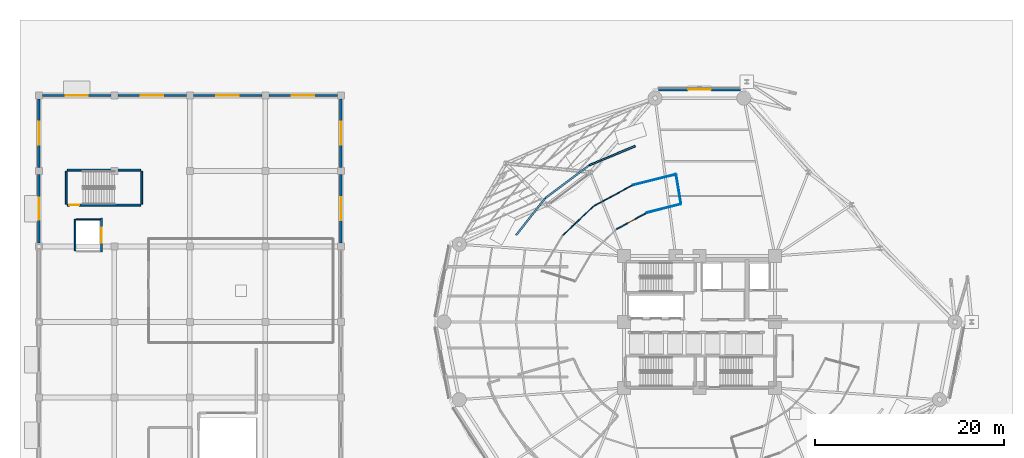
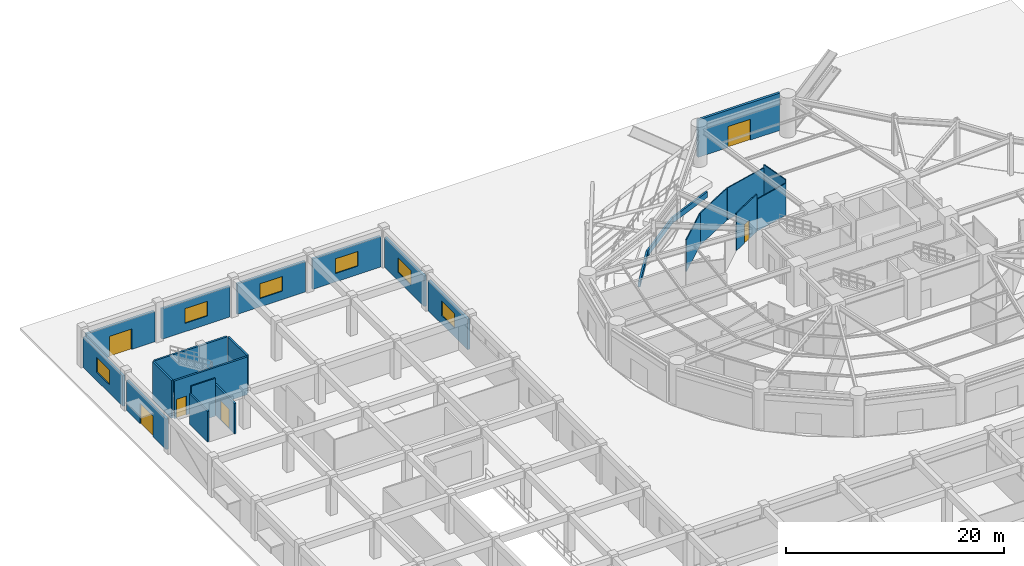
# One storey, part 31 of 40: 25 walls, 6 doors, 6 windows, 12 openings.
"""IFC4 building model written with IfcOpenShell, lengths in metres."""

from ifc_helpers import new_model, si_unit, direction, frame, frame_2d, origin, place, context, subcontext, project, spatial, rectangle, extrude, material, layer, layer_set, type_object, element, fill, save


model = new_model("IFC4")

# Units and contexts
model_context = context("Model", 3, precision=1e-05, world=origin(), true_north=direction((0.0, 1.0)))
body_context = subcontext(model_context, "Body", "Model", "MODEL_VIEW")
ifc_project = project(units=[si_unit("LENGTHUNIT", "METRE"), si_unit("AREAUNIT", "SQUARE_METRE"), si_unit("VOLUMEUNIT", "CUBIC_METRE"), si_unit("PLANEANGLEUNIT", "RADIAN"), si_unit("MASSUNIT", "GRAM", prefix="KILO")], contexts=[model_context])

# Site, building, storey
site_placement = place(None, origin())
site = spatial("IfcSite", under=ifc_project, at=site_placement, CompositionType="ELEMENT")
building_placement = place(site_placement, origin())
building = spatial("IfcBuilding", under=site, at=building_placement, Name="Kelanora Arch Commons", CompositionType="ELEMENT")
storey_placement = place(building_placement, origin())
storey = spatial("IfcBuildingStorey", under=building, at=storey_placement, Name="L00", CompositionType="ELEMENT", Elevation=0.0)

# Walls
ifc_material_1 = material(Name="Autoclaved aerated concrete blockwork with fire plaster", Category="masonry")
ifc_layer_1 = layer(ifc_material_1, 0.14990234375)
ifc_layer_set_1 = layer_set([ifc_layer_1], Name="Autoclaved aerated concrete blockwork with fire plaster")
wall_type_1 = type_object("IfcWallType", Name="W-COMP-150", PredefinedType="PARTITIONING", material=ifc_layer_set_1)
wall_1_placement = place(storey_placement, frame((7.840087890625, 65.5400390625, 0.0), z_axis=(0.0, 0.0, 1.0), x_axis=(0.0, 1.0, 0.0)))
element("IfcWall", 1, at=wall_1_placement, inside=storey, type_object=wall_type_1, Name="Market West Lift Shaft Back Wall L00", PredefinedType="PARTITIONING", context=body_context, shape_type="SweptSolid", body=[
    extrude(rectangle(XDim=3.320068359375, YDim=0.14990234375, at=frame_2d((1.66015625, 0.0))), origin(), (0.0, 0.0, 1.0), 3.425048828125),
])
wall_2_placement = place(storey_placement, frame((7.9599609375, 68.860107421875, 0.0), z_axis=(0.0, 0.0, 1.0), x_axis=(1.0, 0.0, 0.0)))
element("IfcWall", 2, at=wall_2_placement, inside=storey, type_object=wall_type_1, Name="Market West Lift Shaft North Wall L00", PredefinedType="PARTITIONING", context=body_context, shape_type="SweptSolid", body=[
    extrude(rectangle(XDim=2.56005859375, YDim=0.14990234375, at=frame_2d((1.280029296875, 0.0))), origin(), (0.0, 0.0, 1.0), 4.22998046875),
])

# Wall, opening, window
ifc_material_2 = material(Name="Precast concrete C40/50 with terracotta ceramic cladding", Category="masonry")
ifc_layer_2 = layer(ifc_material_2, 0.25)
ifc_layer_set_2 = layer_set([ifc_layer_2], Name="Precast concrete C40/50 with terracotta ceramic cladding")
wall_type_2 = type_object("IfcWallType", Name="W-EXT-MKT", PredefinedType="SOLIDWALL", material=ifc_layer_set_2)
wall_3_placement = place(storey_placement, frame((36.0, 66.3798828125, 0.0), z_axis=(0.0, 0.0, 1.0), x_axis=(0.0, 1.0, 0.0)))
wall_3 = element("IfcWall", 3, at=wall_3_placement, inside=storey, type_object=wall_type_2, Name="Market Hall Exterior Wall L00-28", PredefinedType="SOLIDWALL", context=body_context, shape_type="SweptSolid", body=[
    extrude(rectangle(XDim=7.240234375, YDim=0.25, at=frame_2d((3.6201171875, 0.0))), origin(), (0.0, 0.0, 1.0), 3.419921875),
])
opening_1_placement = place(wall_3_placement, frame((2.419921875, 0.0, 0.949951171875)))
opening_1 = element("IfcOpeningElement", 4, at=opening_1_placement, cuts=wall_3, Name="Opening WN-03", PredefinedType="OPENING", context=body_context, shape_type="SweptSolid", body=[
    extrude(rectangle(XDim=2.39990234375, YDim=1.64990234375, at=frame_2d((1.199951171875, 0.824951171875))), frame((0.0, 0.135009765625, 0.0), z_axis=(0.0, -1.0, 0.0), x_axis=(1.0, 0.0, 0.0)), (0.0, 0.0, 1.0), 0.27001953125),
])
ifc_material_3 = material(Name="Bronze-terracotta aluminium monsoon clerestory window", Category="masonry")
window_type = type_object("IfcWindowType", Name="WIN-MKT-24", PartitioningType="TRIPLE_PANEL_VERTICAL", PredefinedType="WINDOW", material=ifc_material_3)
window_1_placement = place(opening_1_placement, origin())
window_1 = element("IfcWindow", 5, at=window_1_placement, inside=storey, type_object=window_type, Name="Market Hall Clerestory Window L00-28", OverallHeight=1.64990234375, OverallWidth=2.39990234375, PartitioningType="SINGLE_PANEL", PredefinedType="WINDOW", context=body_context, shape_type="SweptSolid", body=[
    extrude(rectangle(XDim=2.39990234375, YDim=1.64990234375, at=frame_2d((1.199951171875, 0.824951171875))), frame((0.0, 0.030029296875, 0.0), z_axis=(0.0, -1.0, 0.0), x_axis=(1.0, 0.0, 0.0)), (0.0, 0.0, 1.0), 0.06005859375),
])
fill(opening_1, window_1)

wall_4_placement = place(storey_placement, frame((36.0, 74.3798828125, 0.0), z_axis=(0.0, 0.0, 1.0), x_axis=(0.0, 1.0, 0.0)))
wall_4 = element("IfcWall", 6, at=wall_4_placement, inside=storey, type_object=wall_type_2, Name="Market Hall Exterior Wall L00-29", PredefinedType="SOLIDWALL", context=body_context, shape_type="SweptSolid", body=[
    extrude(rectangle(XDim=7.240234375, YDim=0.25, at=frame_2d((3.6201171875, 0.0))), origin(), (0.0, 0.0, 1.0), 3.419921875),
])
opening_2_placement = place(wall_4_placement, frame((2.419921875, 0.0, 0.949951171875)))
opening_2 = element("IfcOpeningElement", 7, at=opening_2_placement, cuts=wall_4, Name="Opening WN-03", PredefinedType="OPENING", context=body_context, shape_type="SweptSolid", body=[
    extrude(rectangle(XDim=2.39990234375, YDim=1.64990234375, at=frame_2d((1.199951171875, 0.824951171875))), frame((0.0, 0.135009765625, 0.0), z_axis=(0.0, -1.0, 0.0), x_axis=(1.0, 0.0, 0.0)), (0.0, 0.0, 1.0), 0.27001953125),
])
window_2_placement = place(opening_2_placement, origin())
window_2 = element("IfcWindow", 8, at=window_2_placement, inside=storey, type_object=window_type, Name="Market Hall Clerestory Window L00-29", OverallHeight=1.64990234375, OverallWidth=2.39990234375, PartitioningType="SINGLE_PANEL", PredefinedType="WINDOW", context=body_context, shape_type="SweptSolid", body=[
    extrude(rectangle(XDim=2.39990234375, YDim=1.64990234375, at=frame_2d((1.199951171875, 0.824951171875))), frame((0.0, 0.030029296875, 0.0), z_axis=(0.0, -1.0, 0.0), x_axis=(1.0, 0.0, 0.0)), (0.0, 0.0, 1.0), 0.06005859375),
])
fill(opening_2, window_2)

wall_5_placement = place(storey_placement, frame((35.6201171875, 82.0, 0.0), z_axis=(0.0, 0.0, 1.0), x_axis=(-1.0, 0.0, 0.0)))
wall_5 = element("IfcWall", 9, at=wall_5_placement, inside=storey, type_object=wall_type_2, Name="Market Hall Exterior Wall L00-30", PredefinedType="SOLIDWALL", context=body_context, shape_type="SweptSolid", body=[
    extrude(rectangle(XDim=7.240234375, YDim=0.25, at=frame_2d((3.6201171875, 0.0))), origin(), (0.0, 0.0, 1.0), 3.419921875),
])
opening_3_placement = place(wall_5_placement, frame((2.419921875, 0.0, 0.949951171875)))
opening_3 = element("IfcOpeningElement", 10, at=opening_3_placement, cuts=wall_5, Name="Opening WN-03", PredefinedType="OPENING", context=body_context, shape_type="SweptSolid", body=[
    extrude(rectangle(XDim=2.39990234375, YDim=1.64990234375, at=frame_2d((1.199951171875, 0.824951171875))), frame((0.0, 0.135009765625, 0.0), z_axis=(0.0, -1.0, 0.0), x_axis=(1.0, 0.0, 0.0)), (0.0, 0.0, 1.0), 0.27001953125),
])
window_3_placement = place(opening_3_placement, origin())
window_3 = element("IfcWindow", 11, at=window_3_placement, inside=storey, type_object=window_type, Name="Market Hall Clerestory Window L00-30", OverallHeight=1.64990234375, OverallWidth=2.39990234375, PartitioningType="SINGLE_PANEL", PredefinedType="WINDOW", context=body_context, shape_type="SweptSolid", body=[
    extrude(rectangle(XDim=2.39990234375, YDim=1.64990234375, at=frame_2d((1.199951171875, 0.824951171875))), frame((0.0, 0.030029296875, 0.0), z_axis=(0.0, -1.0, 0.0), x_axis=(1.0, 0.0, 0.0)), (0.0, 0.0, 1.0), 0.06005859375),
])
fill(opening_3, window_3)

wall_6_placement = place(storey_placement, frame((27.6201171875, 82.0, 0.0), z_axis=(0.0, 0.0, 1.0), x_axis=(-1.0, 0.0, 0.0)))
wall_6 = element("IfcWall", 12, at=wall_6_placement, inside=storey, type_object=wall_type_2, Name="Market Hall Exterior Wall L00-31", PredefinedType="SOLIDWALL", context=body_context, shape_type="SweptSolid", body=[
    extrude(rectangle(XDim=7.240234375, YDim=0.25, at=frame_2d((3.6201171875, 0.0))), origin(), (0.0, 0.0, 1.0), 3.419921875),
])
opening_4_placement = place(wall_6_placement, frame((2.419921875, 0.0, 0.949951171875)))
opening_4 = element("IfcOpeningElement", 13, at=opening_4_placement, cuts=wall_6, Name="Opening WN-03", PredefinedType="OPENING", context=body_context, shape_type="SweptSolid", body=[
    extrude(rectangle(XDim=2.39990234375, YDim=1.64990234375, at=frame_2d((1.199951171875, 0.824951171875))), frame((0.0, 0.135009765625, 0.0), z_axis=(0.0, -1.0, 0.0), x_axis=(1.0, 0.0, 0.0)), (0.0, 0.0, 1.0), 0.27001953125),
])
window_4_placement = place(opening_4_placement, origin())
window_4 = element("IfcWindow", 14, at=window_4_placement, inside=storey, type_object=window_type, Name="Market Hall Clerestory Window L00-31", OverallHeight=1.64990234375, OverallWidth=2.39990234375, PartitioningType="SINGLE_PANEL", PredefinedType="WINDOW", context=body_context, shape_type="SweptSolid", body=[
    extrude(rectangle(XDim=2.39990234375, YDim=1.64990234375, at=frame_2d((1.199951171875, 0.824951171875))), frame((0.0, 0.030029296875, 0.0), z_axis=(0.0, -1.0, 0.0), x_axis=(1.0, 0.0, 0.0)), (0.0, 0.0, 1.0), 0.06005859375),
])
fill(opening_4, window_4)

wall_7_placement = place(storey_placement, frame((19.6201171875, 82.0, 0.0), z_axis=(0.0, 0.0, 1.0), x_axis=(-1.0, 0.0, 0.0)))
wall_7 = element("IfcWall", 15, at=wall_7_placement, inside=storey, type_object=wall_type_2, Name="Market Hall Exterior Wall L00-32", PredefinedType="SOLIDWALL", context=body_context, shape_type="SweptSolid", body=[
    extrude(rectangle(XDim=7.240234375, YDim=0.25, at=frame_2d((3.6201171875, 0.0))), origin(), (0.0, 0.0, 1.0), 3.419921875),
])
opening_5_placement = place(wall_7_placement, frame((2.419921875, 0.0, 0.949951171875)))
opening_5 = element("IfcOpeningElement", 16, at=opening_5_placement, cuts=wall_7, Name="Opening WN-03", PredefinedType="OPENING", context=body_context, shape_type="SweptSolid", body=[
    extrude(rectangle(XDim=2.39990234375, YDim=1.64990234375, at=frame_2d((1.199951171875, 0.824951171875))), frame((0.0, 0.135009765625, 0.0), z_axis=(0.0, -1.0, 0.0), x_axis=(1.0, 0.0, 0.0)), (0.0, 0.0, 1.0), 0.27001953125),
])
window_5_placement = place(opening_5_placement, origin())
window_5 = element("IfcWindow", 17, at=window_5_placement, inside=storey, type_object=window_type, Name="Market Hall Clerestory Window L00-32", OverallHeight=1.64990234375, OverallWidth=2.39990234375, PartitioningType="SINGLE_PANEL", PredefinedType="WINDOW", context=body_context, shape_type="SweptSolid", body=[
    extrude(rectangle(XDim=2.39990234375, YDim=1.64990234375, at=frame_2d((1.199951171875, 0.824951171875))), frame((0.0, 0.030029296875, 0.0), z_axis=(0.0, -1.0, 0.0), x_axis=(1.0, 0.0, 0.0)), (0.0, 0.0, 1.0), 0.06005859375),
])
fill(opening_5, window_5)

# Wall, opening, door
wall_8_placement = place(storey_placement, frame((11.6201171875, 82.0, 0.0), z_axis=(0.0, 0.0, 1.0), x_axis=(-1.0, 0.0, 0.0)))
wall_8 = element("IfcWall", 18, at=wall_8_placement, inside=storey, type_object=wall_type_2, Name="Market Hall Exterior Wall L00-33", PredefinedType="SOLIDWALL", context=body_context, shape_type="SweptSolid", body=[
    extrude(rectangle(XDim=7.240234375, YDim=0.25, at=frame_2d((3.6201171875, 0.0))), origin(), (0.0, 0.0, 1.0), 3.419921875),
])
opening_6_placement = place(wall_8_placement, frame((2.445068359375, 0.0, 0.0)))
opening_6 = element("IfcOpeningElement", 19, at=opening_6_placement, cuts=wall_8, Name="Opening DX-02", PredefinedType="OPENING", context=body_context, shape_type="SweptSolid", body=[
    extrude(rectangle(XDim=2.35009765625, YDim=2.300048828125, at=frame_2d((1.175048828125, 1.14990234375))), frame((0.0, 0.135009765625, 0.0), z_axis=(0.0, -1.0, 0.0), x_axis=(1.0, 0.0, 0.0)), (0.0, 0.0, 1.0), 0.27001953125),
])
ifc_material_4 = material(Name="Powder-coated aluminium glazed double escape door", Category="aluminium")
door_type_1 = type_object("IfcDoorType", Name="D-EXIT-20", OperationType="NOTDEFINED", PredefinedType="DOOR", material=ifc_material_4)
door_1_placement = place(opening_6_placement, frame((2.35009765625, 0.0, 0.0), z_axis=(0.0, 0.0, 1.0), x_axis=(-1.0, 0.0, 0.0)))
door_1 = element("IfcDoor", 20, at=door_1_placement, inside=storey, type_object=door_type_1, Name="Market Hall Pedestrian Exit Door 33", OperationType="DOUBLE_DOOR_SINGLE_SWING", OverallHeight=2.300048828125, OverallWidth=2.35009765625, PredefinedType="DOOR", context=body_context, shape_type="SweptSolid", body=[
    extrude(rectangle(XDim=2.35009765625, YDim=2.300048828125, at=frame_2d((1.175048828125, 1.14990234375))), frame((0.0, 0.02490234375, 0.0), z_axis=(0.0, -1.0, 0.0), x_axis=(1.0, 0.0, 0.0)), (0.0, 0.0, 1.0), 0.050048828125),
])
fill(opening_6, door_1)

# Wall, opening, window
wall_9_placement = place(storey_placement, frame((4.0, 81.6201171875, 0.0), z_axis=(0.0, 0.0, 1.0), x_axis=(0.0, -1.0, 0.0)))
wall_9 = element("IfcWall", 21, at=wall_9_placement, inside=storey, type_object=wall_type_2, Name="Market Hall Exterior Wall L00-34", PredefinedType="SOLIDWALL", context=body_context, shape_type="SweptSolid", body=[
    extrude(rectangle(XDim=7.240234375, YDim=0.25, at=frame_2d((3.6201171875, 0.0))), origin(), (0.0, 0.0, 1.0), 3.419921875),
])
opening_7_placement = place(wall_9_placement, frame((2.419921875, 0.0, 0.949951171875)))
opening_7 = element("IfcOpeningElement", 22, at=opening_7_placement, cuts=wall_9, Name="Opening WN-03", PredefinedType="OPENING", context=body_context, shape_type="SweptSolid", body=[
    extrude(rectangle(XDim=2.39990234375, YDim=1.64990234375, at=frame_2d((1.199951171875, 0.824951171875))), frame((0.0, 0.135009765625, 0.0), z_axis=(0.0, -1.0, 0.0), x_axis=(1.0, 0.0, 0.0)), (0.0, 0.0, 1.0), 0.27001953125),
])
window_6_placement = place(opening_7_placement, origin())
window_6 = element("IfcWindow", 23, at=window_6_placement, inside=storey, type_object=window_type, Name="Market Hall Clerestory Window L00-34", OverallHeight=1.64990234375, OverallWidth=2.39990234375, PartitioningType="SINGLE_PANEL", PredefinedType="WINDOW", context=body_context, shape_type="SweptSolid", body=[
    extrude(rectangle(XDim=2.39990234375, YDim=1.64990234375, at=frame_2d((1.199951171875, 0.824951171875))), frame((0.0, 0.030029296875, 0.0), z_axis=(0.0, -1.0, 0.0), x_axis=(1.0, 0.0, 0.0)), (0.0, 0.0, 1.0), 0.06005859375),
])
fill(opening_7, window_6)

# Wall, opening, door
wall_10_placement = place(storey_placement, frame((4.0, 73.6201171875, 0.0), z_axis=(0.0, 0.0, 1.0), x_axis=(0.0, -1.0, 0.0)))
wall_10 = element("IfcWall", 24, at=wall_10_placement, inside=storey, type_object=wall_type_2, Name="Market Hall Exterior Wall L00-35", PredefinedType="SOLIDWALL", context=body_context, shape_type="SweptSolid", body=[
    extrude(rectangle(XDim=7.240234375, YDim=0.25, at=frame_2d((3.6201171875, 0.0))), origin(), (0.0, 0.0, 1.0), 3.419921875),
])
opening_8_placement = place(wall_10_placement, frame((2.445068359375, 0.0, 0.0)))
opening_8 = element("IfcOpeningElement", 25, at=opening_8_placement, cuts=wall_10, Name="Opening DX-02", PredefinedType="OPENING", context=body_context, shape_type="SweptSolid", body=[
    extrude(rectangle(XDim=2.35009765625, YDim=2.300048828125, at=frame_2d((1.175048828125, 1.14990234375))), frame((0.0, 0.135009765625, 0.0), z_axis=(0.0, -1.0, 0.0), x_axis=(1.0, 0.0, 0.0)), (0.0, 0.0, 1.0), 0.27001953125),
])
door_2_placement = place(opening_8_placement, frame((2.35009765625, 0.0, 0.0), z_axis=(0.0, 0.0, 1.0), x_axis=(-1.0, 0.0, 0.0)))
door_2 = element("IfcDoor", 26, at=door_2_placement, inside=storey, type_object=door_type_1, Name="Market Hall Pedestrian Exit Door 35", OperationType="DOUBLE_DOOR_SINGLE_SWING", OverallHeight=2.300048828125, OverallWidth=2.35009765625, PredefinedType="DOOR", context=body_context, shape_type="SweptSolid", body=[
    extrude(rectangle(XDim=2.35009765625, YDim=2.300048828125, at=frame_2d((1.175048828125, 1.14990234375))), frame((0.0, 0.02490234375, 0.0), z_axis=(0.0, -1.0, 0.0), x_axis=(1.0, 0.0, 0.0)), (0.0, 0.0, 1.0), 0.050048828125),
])
fill(opening_8, door_2)

ifc_material_5 = material(Name="Precast concrete C40/50 with terracotta rainscreen", Category="masonry")
ifc_layer_3 = layer(ifc_material_5, 0.260009765625)
ifc_layer_set_3 = layer_set([ifc_layer_3], Name="Precast concrete C40/50 with terracotta rainscreen")
wall_type_3 = type_object("IfcWallType", Name="W-EXT-TC", PredefinedType="SOLIDWALL", material=ifc_layer_set_3)
wall_11_placement = place(storey_placement, frame((78.35595703125, 82.6201171875, 0.0), z_axis=(0.0, 0.0, 1.0), x_axis=(-1.0, 0.0, 0.0)))
wall_11 = element("IfcWall", 27, at=wall_11_placement, inside=storey, type_object=wall_type_3, Name="Terracotta Exterior Wall L00-B04", PredefinedType="SOLIDWALL", context=body_context, shape_type="SweptSolid", body=[
    extrude(rectangle(XDim=8.7119140625, YDim=0.260009765625, at=frame_2d((4.35595703125, 0.0))), origin(), (0.0, 0.0, 1.0), 4.18505859375),
])
opening_9_placement = place(wall_11_placement, frame((3.156005859375, 0.0, 0.0)))
opening_9 = element("IfcOpeningElement", 28, at=opening_9_placement, cuts=wall_11, Name="Opening DX-01", PredefinedType="OPENING", context=body_context, shape_type="SweptSolid", body=[
    extrude(rectangle(XDim=2.39990234375, YDim=2.35009765625, at=frame_2d((1.199951171875, 1.175048828125))), frame((0.0, 0.14013671875, 0.0), z_axis=(0.0, -1.0, 0.0), x_axis=(1.0, 0.0, 0.0)), (0.0, 0.0, 1.0), 0.280029296875),
])
door_type_2 = type_object("IfcDoorType", Name="D-EXIT-22", OperationType="NOTDEFINED", PredefinedType="DOOR", material=ifc_material_4)
door_3_placement = place(opening_9_placement, frame((2.39990234375, 0.0, 0.0), z_axis=(0.0, 0.0, 1.0), x_axis=(-1.0, 0.0, 0.0)))
door_3 = element("IfcDoor", 29, at=door_3_placement, inside=storey, type_object=door_type_2, Name="Tower Ground Pedestrian Exit Door T04", OperationType="DOUBLE_DOOR_SINGLE_SWING", OverallHeight=2.35009765625, OverallWidth=2.39990234375, PredefinedType="DOOR", context=body_context, shape_type="SweptSolid", body=[
    extrude(rectangle(XDim=2.39990234375, YDim=2.35009765625, at=frame_2d((1.199951171875, 1.175048828125))), frame((0.0, 0.02490234375, 0.0), z_axis=(0.0, -1.0, 0.0), x_axis=(1.0, 0.0, 0.0)), (0.0, 0.0, 1.0), 0.050048828125),
])
fill(opening_9, door_3)

ifc_material_6 = material(Name="Concrete C40/50", Category="concrete")
ifc_layer_4 = layer(ifc_material_6, 0.199951171875)
ifc_layer_set_4 = layer_set([ifc_layer_4], Name="Concrete C40/50")
wall_type_4 = type_object("IfcWallType", Name="W-FFL-200", PredefinedType="SOLIDWALL", material=ifc_layer_set_4)
wall_12_placement = place(storey_placement, frame((10.64990234375, 65.39990234375, 0.0), z_axis=(0.0, 0.0, 1.0), x_axis=(0.0, 1.0, 0.0)))
wall_12 = element("IfcWall", 30, at=wall_12_placement, inside=storey, type_object=wall_type_4, Name="Market West Goods Lift Shaft Front L00", PredefinedType="SOLIDWALL", context=body_context, shape_type="SweptSolid", body=[
    extrude(rectangle(XDim=3.60009765625, YDim=0.199951171875, at=frame_2d((1.800048828125, 0.0))), origin(), (0.0, 0.0, 1.0), 3.425048828125),
])
opening_10_placement = place(wall_12_placement, frame((1.02001953125, 0.0, 0.0)))
opening_10 = element("IfcOpeningElement", 31, at=opening_10_placement, cuts=wall_12, Name="Opening LD-GD", PredefinedType="OPENING", context=body_context, shape_type="SweptSolid", body=[
    extrude(rectangle(XDim=1.550048828125, YDim=2.199951171875, at=frame_2d((0.77490234375, 1.10009765625))), frame((0.0, 0.10986328125, 0.0), z_axis=(0.0, -1.0, 0.0), x_axis=(1.0, 0.0, 0.0)), (0.0, 0.0, 1.0), 0.219970703125),
])
ifc_material_7 = material(Name="Heavy-duty goods lift bi-parting sliding landing door")
door_type_3 = type_object("IfcDoorType", Name="D-LIFT-GDS", OperationType="NOTDEFINED", PredefinedType="DOOR", material=ifc_material_7)
door_4_placement = place(opening_10_placement, origin())
door_4 = element("IfcDoor", 32, at=door_4_placement, inside=storey, type_object=door_type_3, Name="Market Goods Lift LF-MG2 Landing Door L00", OperationType="DOUBLE_DOOR_SLIDING", OverallHeight=2.199951171875, OverallWidth=1.550048828125, PredefinedType="DOOR", context=body_context, shape_type="SweptSolid", body=[
    extrude(rectangle(XDim=1.550048828125, YDim=2.199951171875, at=frame_2d((0.77490234375, 1.10009765625))), frame((0.0, 0.02490234375, 0.0), z_axis=(0.0, -1.0, 0.0), x_axis=(1.0, 0.0, 0.0)), (0.0, 0.0, 1.0), 0.050048828125),
])
fill(opening_10, door_4)

# Walls
ifc_material_8 = material(Name="Precast concrete C40/50 parapet", Category="concrete")
ifc_layer_5 = layer(ifc_material_8, 0.18994140625)
ifc_layer_set_5 = layer_set([ifc_layer_5], Name="Precast concrete C40/50 parapet")
wall_type_5 = type_object("IfcWallType", Name="W-PARAPET", PredefinedType="PARAPET", material=ifc_layer_set_5)
wall_13_placement = place(storey_placement, frame((67.20166015625, 76.640625, 0.0), z_axis=(0.0, 0.0, 1.0), x_axis=(-0.923474464617, -0.383659892614, 0.0)))
element("IfcWall", 33, at=wall_13_placement, inside=storey, type_object=wall_type_5, Name="Courtyard Raised Planter Kerb NW-1", PredefinedType="PARAPET", context=body_context, shape_type="SweptSolid", body=[
    extrude(rectangle(XDim=5.2626953125, YDim=0.18994140625, at=frame_2d((2.63134765625, 0.0))), origin(), (0.0, 0.0, 1.0), 0.6201171875),
])
wall_14_placement = place(storey_placement, frame((62.341796875, 74.62158203125, 0.0), z_axis=(0.0, 0.0, 1.0), x_axis=(-0.800949430728, -0.59873200133, 0.0)))
element("IfcWall", 34, at=wall_14_placement, inside=storey, type_object=wall_type_5, Name="Courtyard Raised Planter Kerb NW-2", PredefinedType="PARAPET", context=body_context, shape_type="SweptSolid", body=[
    extrude(rectangle(XDim=5.856689453125, YDim=0.18994140625, at=frame_2d((2.92822265625, 0.0))), origin(), (0.0, 0.0, 1.0), 0.6201171875),
])
wall_15_placement = place(storey_placement, frame((57.65087890625, 71.114990234375, 0.0), z_axis=(0.0, 0.0, 1.0), x_axis=(-0.617936357215, -0.786228121115, 0.0)))
element("IfcWall", 35, at=wall_15_placement, inside=storey, type_object=wall_type_5, Name="Courtyard Raised Planter Kerb NW-3", PredefinedType="PARAPET", context=body_context, shape_type="SweptSolid", body=[
    extrude(rectangle(XDim=4.977294921875, YDim=0.18994140625, at=frame_2d((2.48876953125, 0.0))), origin(), (0.0, 0.0, 1.0), 0.6201171875),
])
ifc_material_9 = material(Name="Lightweight fire-rated acoustic stud partition")
ifc_layer_6 = layer(ifc_material_9, 0.10009765625)
ifc_layer_set_6 = layer_set([ifc_layer_6], Name="Lightweight fire-rated acoustic stud partition")
wall_type_6 = type_object("IfcWallType", Name="W-PART-100", PredefinedType="PARTITIONING", material=ifc_layer_set_6)
wall_16_placement = place(storey_placement, frame((72.01025390625, 70.4873046875, 0.0), z_axis=(0.0, 0.0, 1.0), x_axis=(-0.969229007952, -0.246160781085, 0.0)))
element("IfcWall", 36, at=wall_16_placement, inside=storey, type_object=wall_type_6, Name="Courtyard Communal Dining Pavilion North Enclosure Partition 1", PredefinedType="PARTITIONING", context=body_context, shape_type="SweptSolid", body=[
    extrude(rectangle(XDim=3.674560546875, YDim=0.10009765625, at=frame_2d((1.83740234375, 0.0))), origin(), (0.0, 0.0, 1.0), 3.5849609375),
])
wall_17_placement = place(storey_placement, frame((59.5380859375, 67.202392578125, 0.0), z_axis=(0.0, 0.0, 1.0), x_axis=(0.727255441207, 0.686366901325, 0.0)))
element("IfcWall", 37, at=wall_17_placement, inside=storey, type_object=wall_type_6, Name="Courtyard Communal Dining Pavilion North Enclosure Partition 7", PredefinedType="PARTITIONING", context=body_context, shape_type="SweptSolid", body=[
    extrude(rectangle(XDim=4.4423828125, YDim=0.10009765625, at=frame_2d((2.22119140625, 0.0))), origin(), (0.0, 0.0, 1.0), 3.5849609375),
])
wall_18_placement = place(storey_placement, frame((62.833251953125, 70.298095703125, 0.0), z_axis=(0.0, 0.0, 1.0), x_axis=(0.880380395475, 0.474268235562, 0.0)))
element("IfcWall", 38, at=wall_18_placement, inside=storey, type_object=wall_type_6, Name="Courtyard Communal Dining Pavilion North Enclosure Partition 8", PredefinedType="PARTITIONING", context=body_context, shape_type="SweptSolid", body=[
    extrude(rectangle(XDim=4.58154296875, YDim=0.10009765625, at=frame_2d((2.290771484375, 0.0))), origin(), (0.0, 0.0, 1.0), 3.5849609375),
])
wall_19_placement = place(storey_placement, frame((66.94091796875, 72.499755859375, 0.0), z_axis=(0.0, 0.0, 1.0), x_axis=(0.970108758835, 0.242670550399, 0.0)))
element("IfcWall", 39, at=wall_19_placement, inside=storey, type_object=wall_type_6, Name="Courtyard Communal Dining Pavilion North Enclosure Partition 9", PredefinedType="PARTITIONING", context=body_context, shape_type="SweptSolid", body=[
    extrude(rectangle(XDim=4.68310546875, YDim=0.10009765625, at=frame_2d((2.341552734375, 0.0))), origin(), (0.0, 0.0, 1.0), 3.5849609375),
])
wall_20_placement = place(storey_placement, frame((71.529541015625, 73.6064453125, 0.0), z_axis=(0.0, 0.0, 1.0), x_axis=(0.164806022155, -0.98632599837, 0.0)))
element("IfcWall", 40, at=wall_20_placement, inside=storey, type_object=wall_type_6, Name="Courtyard Communal Dining Pavilion North Enclosure Partition 10", PredefinedType="PARTITIONING", context=body_context, shape_type="SweptSolid", body=[
    extrude(rectangle(XDim=3.1123046875, YDim=0.10009765625, at=frame_2d((1.55615234375, 0.0))), origin(), (0.0, 0.0, 1.0), 3.945068359375),
])

# Wall, opening, door
ifc_material_10 = material(Name="Acoustic twin-stud fire-rated gypsum partition")
ifc_layer_7 = layer(ifc_material_10, 0.1201171875)
ifc_layer_set_7 = layer_set([ifc_layer_7], Name="Acoustic twin-stud fire-rated gypsum partition")
wall_type_7 = type_object("IfcWallType", Name="W-PART-120", PredefinedType="PARTITIONING", material=ifc_layer_set_7)
wall_21_placement = place(storey_placement, frame((68.357421875, 69.544189453125, 0.0), z_axis=(0.0, 0.0, 1.0), x_axis=(-0.877746280932, -0.479125731212, 0.0)))
wall_21 = element("IfcWall", 41, at=wall_21_placement, inside=storey, type_object=wall_type_7, Name="Courtyard Communal Dining Pavilion North Entry Partition", PredefinedType="PARTITIONING", context=body_context, shape_type="SweptSolid", body=[
    extrude(rectangle(XDim=3.563232421875, YDim=0.1201171875, at=frame_2d((1.78173828125, 0.0))), origin(), (0.0, 0.0, 1.0), 4.18994140625),
])
opening_11_placement = place(wall_21_placement, frame((1.33203125, 0.0, 0.0)))
opening_11 = element("IfcOpeningElement", 42, at=opening_11_placement, cuts=wall_21, Name="Opening D-RM1", PredefinedType="OPENING", context=body_context, shape_type="SweptSolid", body=[
    extrude(rectangle(XDim=0.89990234375, YDim=2.080078125, at=frame_2d((0.449951171875, 1.0400390625))), frame((0.0, 0.070068359375, 0.0), z_axis=(0.0, -1.0, 0.0), x_axis=(1.0, 0.0, 0.0)), (0.0, 0.0, 1.0), 0.14013671875),
])
ifc_material_11 = material(Name="Acoustic fire-rated timber study and lounge door", Category="wood")
door_type_4 = type_object("IfcDoorType", Name="D-ROOM-90", OperationType="NOTDEFINED", PredefinedType="DOOR", material=ifc_material_11)
door_5_placement = place(opening_11_placement, origin())
door_5 = element("IfcDoor", 43, at=door_5_placement, inside=storey, type_object=door_type_4, Name="Courtyard Communal Dining Pavilion North Door", OperationType="SINGLE_SWING_LEFT", OverallHeight=2.080078125, OverallWidth=0.89990234375, PredefinedType="DOOR", context=body_context, shape_type="SweptSolid", body=[
    extrude(rectangle(XDim=0.89990234375, YDim=2.080078125, at=frame_2d((0.449951171875, 1.0400390625))), frame((0.0, 0.02490234375, 0.0), z_axis=(0.0, -1.0, 0.0), x_axis=(1.0, 0.0, 0.0)), (0.0, 0.0, 1.0), 0.050048828125),
])
fill(opening_11, door_5)

ifc_layer_8 = layer(ifc_material_6, 0.199951171875)
ifc_layer_set_8 = layer_set([ifc_layer_8], Name="Concrete C40/50")
wall_type_8 = type_object("IfcWallType", Name="W-STAIR-200", PredefinedType="SHEAR", material=ifc_layer_set_8)
wall_22_placement = place(storey_placement, frame((7.02001953125, 70.3798828125, 0.0), z_axis=(0.0, 0.0, 1.0), x_axis=(1.0, 0.0, 0.0)))
wall_22 = element("IfcWall", 44, at=wall_22_placement, inside=storey, type_object=wall_type_8, Name="Stair ST-M3 Shaft Wall S L00", PredefinedType="SHEAR", context=body_context, shape_type="SweptSolid", body=[
    extrude(rectangle(XDim=7.760009765625, YDim=0.199951171875, at=frame_2d((3.8798828125, 0.0))), origin(), (0.0, 0.0, 1.0), 4.239990234375),
])
opening_12_placement = place(wall_22_placement, frame((0.199951171875, 0.0, 0.0)))
opening_12 = element("IfcOpeningElement", 45, at=opening_12_placement, cuts=wall_22, Name="Opening D-ST1", PredefinedType="OPENING", context=body_context, shape_type="SweptSolid", body=[
    extrude(rectangle(XDim=1.050048828125, YDim=2.10009765625, at=frame_2d((0.52490234375, 1.050048828125))), frame((0.0, 0.10986328125, 0.0), z_axis=(0.0, -1.0, 0.0), x_axis=(1.0, 0.0, 0.0)), (0.0, 0.0, 1.0), 0.219970703125),
])
ifc_material_12 = material(Name="Steel fire-rated stairwell escape door", Category="steel")
door_type_5 = type_object("IfcDoorType", Name="D-STAIR-110", OperationType="NOTDEFINED", PredefinedType="DOOR", material=ifc_material_12)
door_6_placement = place(opening_12_placement, origin())
door_6 = element("IfcDoor", 46, at=door_6_placement, inside=storey, type_object=door_type_5, Name="Stair ST-M3 Escape Door L00", OperationType="SINGLE_SWING_LEFT", OverallHeight=2.10009765625, OverallWidth=1.050048828125, PredefinedType="DOOR", context=body_context, shape_type="SweptSolid", body=[
    extrude(rectangle(XDim=1.050048828125, YDim=2.10009765625, at=frame_2d((0.52490234375, 1.050048828125))), frame((0.0, 0.02490234375, 0.0), z_axis=(0.0, -1.0, 0.0), x_axis=(1.0, 0.0, 0.0)), (0.0, 0.0, 1.0), 0.050048828125),
])
fill(opening_12, door_6)

# Walls
wall_23_placement = place(storey_placement, frame((14.89990234375, 70.5, 0.0), z_axis=(0.0, 0.0, 1.0), x_axis=(0.0, 1.0, 0.0)))
element("IfcWall", 47, at=wall_23_placement, inside=storey, type_object=wall_type_8, Name="Stair ST-M3 Shaft Wall E L00", PredefinedType="SHEAR", context=body_context, shape_type="SweptSolid", body=[
    extrude(rectangle(XDim=3.469970703125, YDim=0.199951171875, at=frame_2d((1.73486328125, 0.0))), origin(), (0.0, 0.0, 1.0), 4.239990234375),
])
wall_24_placement = place(storey_placement, frame((14.780029296875, 74.090087890625, 0.0), z_axis=(0.0, 0.0, 1.0), x_axis=(-1.0, 0.0, 0.0)))
element("IfcWall", 48, at=wall_24_placement, inside=storey, type_object=wall_type_8, Name="Stair ST-M3 Shaft Wall N L00", PredefinedType="SHEAR", context=body_context, shape_type="SweptSolid", body=[
    extrude(rectangle(XDim=7.760009765625, YDim=0.199951171875, at=frame_2d((3.8798828125, 0.0))), origin(), (0.0, 0.0, 1.0), 4.239990234375),
])
wall_25_placement = place(storey_placement, frame((6.89990234375, 73.969970703125, 0.0), z_axis=(0.0, 0.0, 1.0), x_axis=(0.0, -1.0, 0.0)))
element("IfcWall", 49, at=wall_25_placement, inside=storey, type_object=wall_type_8, Name="Stair ST-M3 Shaft Wall W L00", PredefinedType="SHEAR", context=body_context, shape_type="SweptSolid", body=[
    extrude(rectangle(XDim=3.469970703125, YDim=0.199951171875, at=frame_2d((1.73486328125, 0.0))), origin(), (0.0, 0.0, 1.0), 4.239990234375),
])

save(model, "model.ifc")
